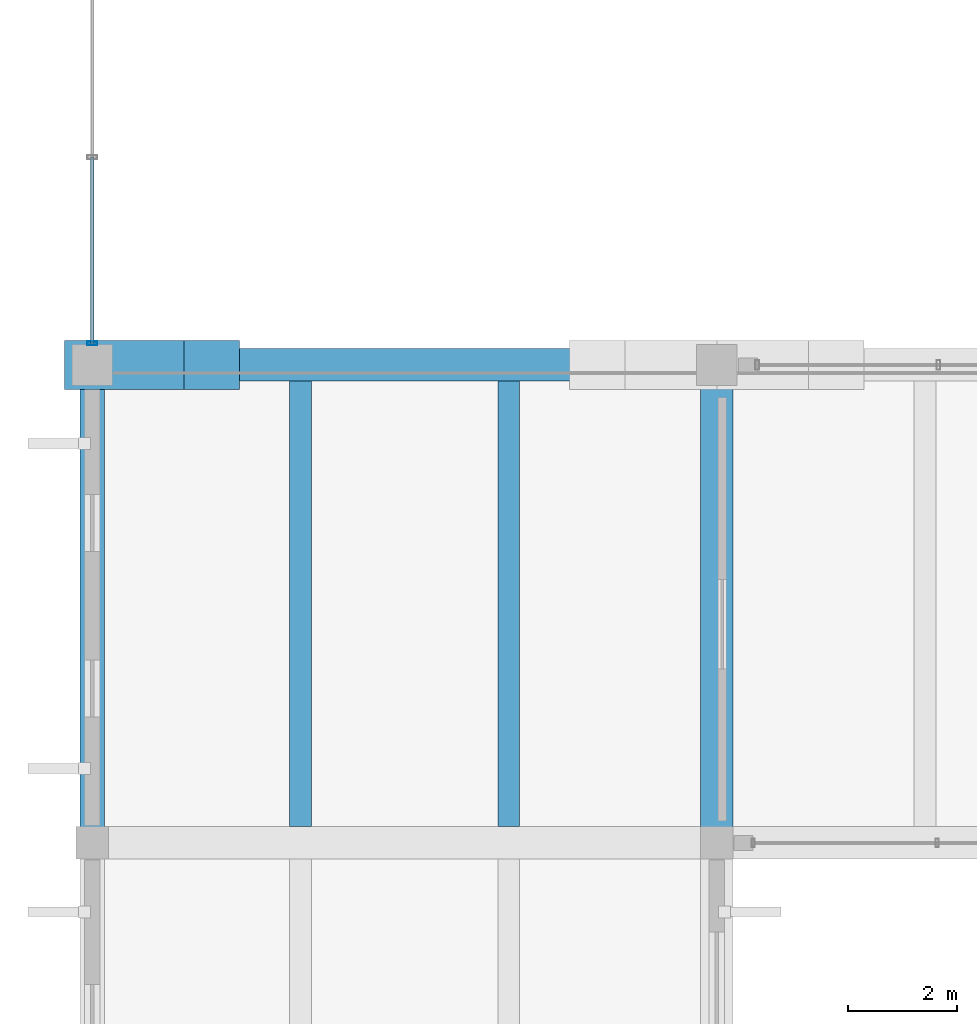
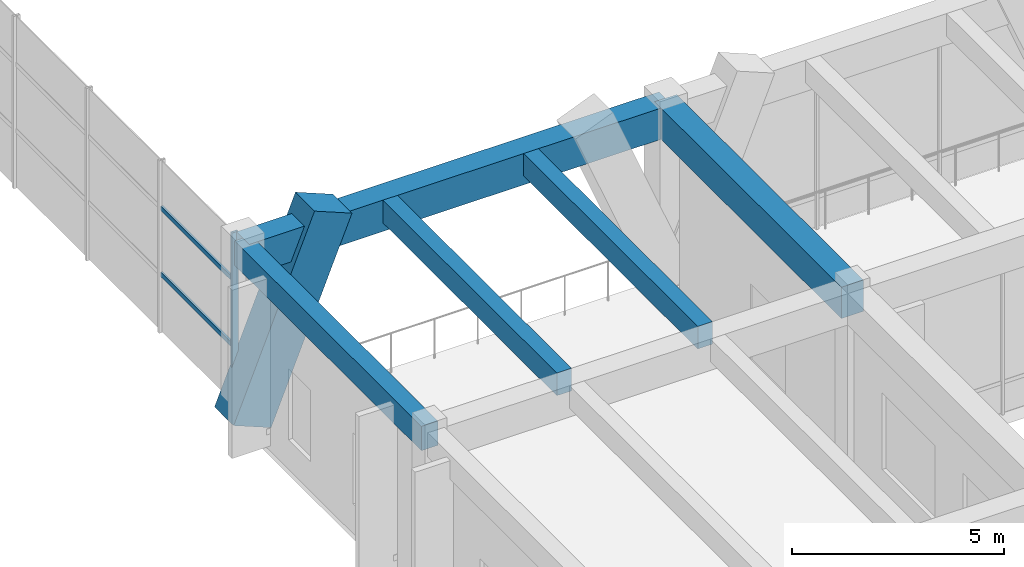
# One storey, part 8 of 148: 5 beams, 4 members, 1 element without a shape of its own.
"""IFC4 building model written with IfcOpenShell, lengths in metres."""

from ifc_helpers import new_model, si_unit, direction, frame, origin, origin_2d, place, context, subcontext, project, spatial, rectangle, hollow_rectangle, extrude, material, material_profile, profile_set, type_object, element, aggregate, save


model = new_model("IFC4")

# Units and contexts
model_context = context("Model", 3, precision=1e-05, world=origin(), true_north=direction((0.0, 1.0)))
body_context = subcontext(model_context, "Body", "Model", "MODEL_VIEW")
ifc_project = project(units=[si_unit("LENGTHUNIT", "METRE"), si_unit("AREAUNIT", "SQUARE_METRE"), si_unit("VOLUMEUNIT", "CUBIC_METRE"), si_unit("PLANEANGLEUNIT", "RADIAN"), si_unit("MASSUNIT", "GRAM", prefix="KILO")], contexts=[model_context])

# Site, building, storey
site_placement = place(None, origin())
site = spatial("IfcSite", under=ifc_project, at=site_placement, CompositionType="ELEMENT")
building_placement = place(site_placement, origin())
building = spatial("IfcBuilding", under=site, at=building_placement, Name="Ologun Quay Terminus", CompositionType="ELEMENT")
storey_placement = place(building_placement, frame((0.0, 0.0, 8.39990234375)))
storey = spatial("IfcBuildingStorey", under=building, at=storey_placement, Name="L02", CompositionType="ELEMENT", Elevation=8.39990234375)

# Curtain wall, members
ifc_material_1 = material(Name="Aluminium 6063-T6", Category="aluminium")
curtain_wall_type = type_object("IfcCurtainWallType", Name="Train Shed Gable Arch Screen 13500x4900", PredefinedType="USERDEFINED", material=ifc_material_1)
curtain_wall_placement = place(storey_placement, origin())
curtain_wall = element("IfcCurtainWall", 1, at=curtain_wall_placement, inside=storey, type_object=curtain_wall_type, Name="CW-10 Curtain Wall CW-GBL-W1", ObjectType="UNITISED CURTAIN WALL", PredefinedType="USERDEFINED")
ifc_material_2 = material(Name="Aluminium 6063-T6", Category="aluminium")
ifc_material_profile_1 = material_profile(ifc_material_2, hollow_rectangle(XDim=0.070068359375, YDim=0.179931640625, WallThickness=0.0048828125, at=origin_2d()), Name="ALU 180x70x5")
ifc_profile_set_1 = profile_set([ifc_material_profile_1], Name="Aluminium 6063-T6")
member_type_1 = type_object("IfcMemberType", Name="Concourse Clerestory Mullion 180x70", PredefinedType="MULLION", material=ifc_profile_set_1)
member_1_placement = place(storey_placement, frame((0.0, 36.39990234375, 0.14013671875), z_axis=(0.0, 0.0, 1.0), x_axis=(0.0, 1.0, 0.0)))
member_1 = element("IfcMember", 2, at=member_1_placement, type_object=member_type_1, Name="CW-GBL-W1 Mullion 1", PredefinedType="MULLION", context=body_context, shape_type="SweptSolid", body=[
    extrude(hollow_rectangle(XDim=0.070068359375, YDim=0.179931640625, WallThickness=0.0048828125, at=origin_2d()), origin(), (0.0, 0.0, 1.0), 4.9599609375),
])
ifc_material_3 = material(Name="Aluminium 6063-T6", Category="aluminium")
ifc_material_profile_2 = material_profile(ifc_material_3, hollow_rectangle(XDim=0.06005859375, YDim=0.1298828125, WallThickness=0.00390625, at=origin_2d()), Name="ALU 130x60x4")
ifc_profile_set_2 = profile_set([ifc_material_profile_2], Name="Aluminium 6063-T6")
member_type_2 = type_object("IfcMemberType", Name="Concourse Clerestory Transom 130x60", PredefinedType="USERDEFINED", material=ifc_profile_set_2)
member_2_placement = place(storey_placement, frame((0.0, 36.39990234375, 1.800048828125), z_axis=(0.0, 1.0, 0.0), x_axis=(-1.0, 0.0, 0.0)))
member_2 = element("IfcMember", 3, at=member_2_placement, type_object=member_type_2, Name="CW-GBL-W1 Transom B1-1", ObjectType="TRANSOM", PredefinedType="USERDEFINED", context=body_context, shape_type="SweptSolid", body=[
    extrude(hollow_rectangle(XDim=0.06005859375, YDim=0.1298828125, WallThickness=0.00390625, at=origin_2d()), origin(), (0.0, 0.0, 1.0), 3.425048828125),
])
member_3_placement = place(storey_placement, frame((0.0, 36.39990234375, 3.7001953125), z_axis=(0.0, 1.0, 0.0), x_axis=(-1.0, 0.0, 0.0)))
member_3 = element("IfcMember", 4, at=member_3_placement, type_object=member_type_2, Name="CW-GBL-W1 Transom B1-2", ObjectType="TRANSOM", PredefinedType="USERDEFINED", context=body_context, shape_type="SweptSolid", body=[
    extrude(hollow_rectangle(XDim=0.06005859375, YDim=0.1298828125, WallThickness=0.00390625, at=origin_2d()), origin(), (0.0, 0.0, 1.0), 3.425048828125),
])
aggregate(curtain_wall, [member_1, member_2, member_3])

# Beam
ifc_material_4 = material(Name="Concrete C40/50", Category="concrete")
ifc_material_profile_3 = material_profile(ifc_material_4, rectangle(XDim=0.449951171875, YDim=0.699951171875, at=origin_2d()), Name="RC 450x700")
ifc_profile_set_3 = profile_set([ifc_material_profile_3], Name="Concrete C40/50")
beam_type_1 = type_object("IfcBeamType", Name="Perimeter Spandrel Beam 450x700", PredefinedType="SPANDREL", material=ifc_profile_set_3)
beam_1_placement = place(storey_placement, frame((0.0, 27.199951171875, 4.800048828125), z_axis=(0.0, 1.0, 0.0), x_axis=(-1.0, 0.0, 0.0)))
element("IfcBeam", 5, at=beam_1_placement, inside=storey, type_object=beam_type_1, Name="SP1 Beam 1/D L02", PredefinedType="SPANDREL", context=body_context, shape_type="SweptSolid", body=[
    extrude(rectangle(XDim=0.449951171875, YDim=0.699951171875, at=origin_2d()), origin(), (0.0, 0.0, 1.0), 8.800048828125),
])

# Member
ifc_material_5 = material(Name="Concrete C45/55", Category="concrete")
ifc_material_profile_4 = material_profile(ifc_material_5, rectangle(XDim=0.89990234375, YDim=1.10009765625, at=origin_2d()), Name="RC 900x1100")
ifc_profile_set_4 = profile_set([ifc_material_profile_4], Name="Concrete C45/55")
member_type_3 = type_object("IfcMemberType", Name="Sculpted Concrete Arch V-Buttress Strut 900x1100", PredefinedType="STRUT", material=ifc_profile_set_4)
member_4_placement = place(storey_placement, frame((0.0, 36.0, 0.0), z_axis=(0.377280927807, 0.0, 0.926098861631), x_axis=(0.0, 1.0, 0.0)))
element("IfcMember", 6, at=member_4_placement, inside=storey, type_object=member_type_3, Name="VS1 Arch V-Buttress East Limb 1/E", PredefinedType="STRUT", context=body_context, shape_type="SweptSolid", body=[
    extrude(rectangle(XDim=0.89990234375, YDim=1.10009765625, at=origin_2d()), origin(), (0.0, 0.0, 1.0), 5.8310546875),
])

# Beams
ifc_material_6 = material(Name="Concrete C40/50", Category="concrete")
ifc_material_profile_5 = material_profile(ifc_material_6, rectangle(XDim=0.60009765625, YDim=0.89990234375, at=origin_2d()), Name="RC 600x900")
ifc_profile_set_5 = profile_set([ifc_material_profile_5], Name="Concrete C40/50")
beam_type_2 = type_object("IfcBeamType", Name="Station Frame Girder 600x900", PredefinedType="BEAM", material=ifc_profile_set_5)
beam_2_placement = place(storey_placement, frame((0.0, 36.0, 4.7001953125), z_axis=(1.0, 0.0, 0.0), x_axis=(0.0, 1.0, 0.0)))
element("IfcBeam", 7, at=beam_2_placement, inside=storey, type_object=beam_type_2, Name="B3 Beam 1/E L02", PredefinedType="BEAM", context=body_context, shape_type="SweptSolid", body=[
    extrude(rectangle(XDim=0.60009765625, YDim=0.89990234375, at=origin_2d()), origin(), (0.0, 0.0, 1.0), 11.5),
])
beam_3_placement = place(storey_placement, frame((11.5, 27.199951171875, 4.7001953125), z_axis=(0.0, 1.0, 0.0), x_axis=(-1.0, 0.0, 0.0)))
element("IfcBeam", 8, at=beam_3_placement, inside=storey, type_object=beam_type_2, Name="B3 Beam 2/D L02", PredefinedType="BEAM", context=body_context, shape_type="SweptSolid", body=[
    extrude(rectangle(XDim=0.60009765625, YDim=0.89990234375, at=origin_2d()), origin(), (0.0, 0.0, 1.0), 8.800048828125),
])
ifc_material_7 = material(Name="Concrete C40/50", Category="concrete")
ifc_material_profile_6 = material_profile(ifc_material_7, rectangle(XDim=0.39990234375, YDim=0.64990234375, at=origin_2d()), Name="RC 400x650")
ifc_profile_set_6 = profile_set([ifc_material_profile_6], Name="Concrete C40/50")
beam_type_3 = type_object("IfcBeamType", Name="Station Secondary Joist 400x650", PredefinedType="JOIST", material=ifc_profile_set_6)
for number, where, z_axis, x_axis, name in (
    (9, (3.833251953125, 27.5, 4.8251953125), (0.0, 1.0, 0.0), (-1.0, 0.0, 0.0), "J1 Beam 1/D L02"),
    (10, (7.666748046875, 27.5, 4.8251953125), (0.0, 1.0, 0.0), (-1.0, 0.0, 0.0), "J1 Beam 1/D L02"),
):
    element("IfcBeam", number, at=place(storey_placement, frame(where, z_axis=z_axis, x_axis=x_axis)), inside=storey, type_object=beam_type_3, Name=name, PredefinedType="JOIST", context=body_context, shape_type="SweptSolid", body=[
        extrude(rectangle(XDim=0.39990234375, YDim=0.64990234375, at=origin_2d()), origin(), (0.0, 0.0, 1.0), 8.199951171875),
    ])

save(model, "model.ifc")
